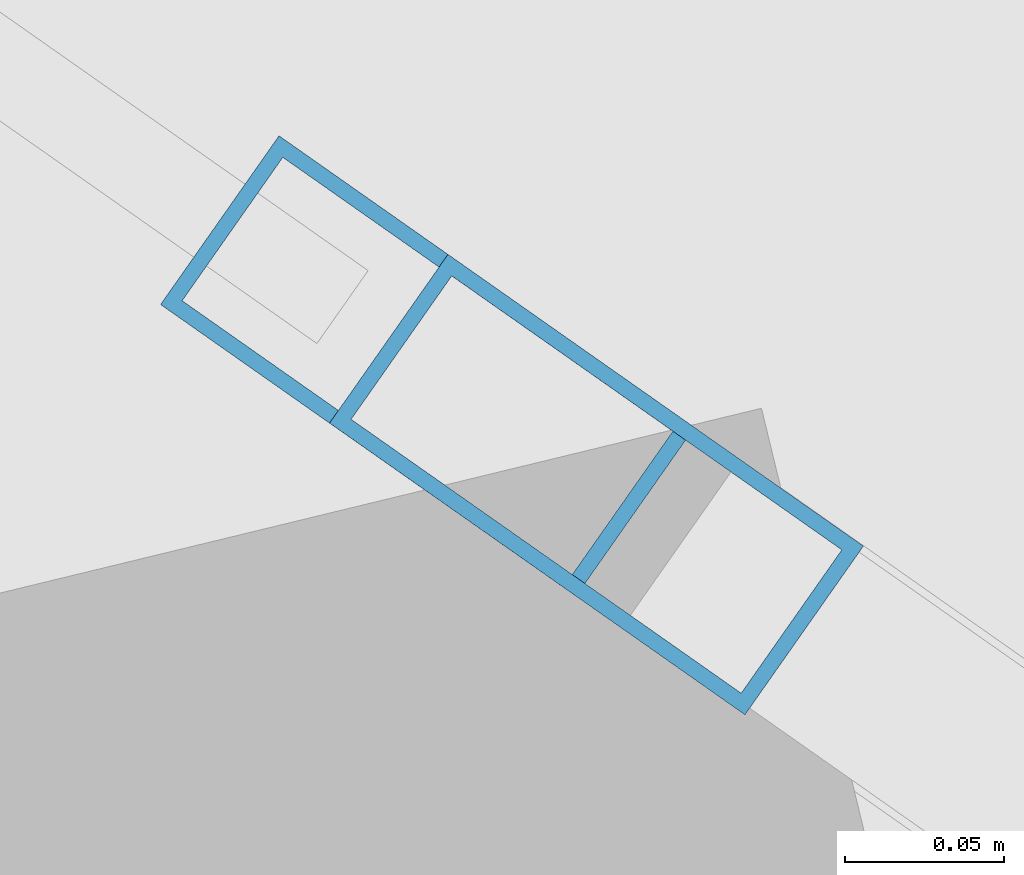
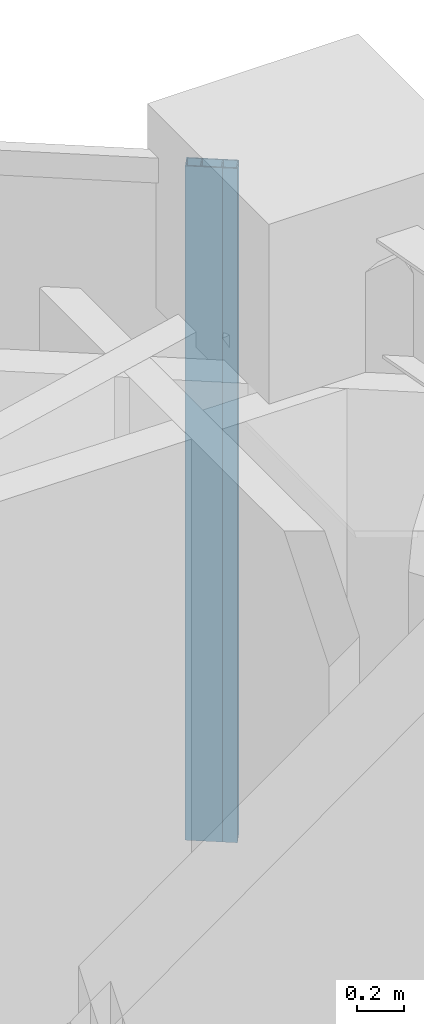
# One storey, part 14 of 24: 2 members, 2 elements without a shape of their own.
"""IFC4 building model written with IfcOpenShell, lengths in metres."""

from ifc_helpers import new_model, si_unit, direction, frame, origin, origin_2d, place, context, subcontext, project, spatial, hollow_rectangle, extrude, material, layer, layer_set, material_profile, profile_set, type_object, element, aggregate, save


model = new_model("IFC4")

# Units and contexts
model_context = context("Model", 3, precision=1e-05, world=origin(), true_north=direction((0.0, 1.0)))
body_context = subcontext(model_context, "Body", "Model", "MODEL_VIEW")
ifc_project = project(units=[si_unit("LENGTHUNIT", "METRE"), si_unit("AREAUNIT", "SQUARE_METRE"), si_unit("VOLUMEUNIT", "CUBIC_METRE"), si_unit("PLANEANGLEUNIT", "RADIAN"), si_unit("MASSUNIT", "GRAM", prefix="KILO")], contexts=[model_context])

# Site, building, storey
site_placement = place(None, origin())
site = spatial("IfcSite", under=ifc_project, at=site_placement, CompositionType="ELEMENT")
building_placement = place(site_placement, origin())
building = spatial("IfcBuilding", under=site, at=building_placement, Name="Qianvela Tower", CompositionType="ELEMENT")
storey_placement = place(building_placement, frame((0.0, 0.0, 101.5)))
storey = spatial("IfcBuildingStorey", under=building, at=storey_placement, Name="L25", CompositionType="ELEMENT", Elevation=101.5)

# Curtain wall, member
ifc_material_1 = material(Name="Anodised Architectural Aluminium and Insulated Spandrel Panel", Category="aluminium")
ifc_layer_1 = layer(ifc_material_1, 0.179931640625)
ifc_layer_set_1 = layer_set([ifc_layer_1], Name="Anodised Architectural Aluminium and Insulated Spandrel Panel")
curtain_wall_type_1 = type_object("IfcCurtainWallType", Name="CW-BRACEBAY", PredefinedType="USERDEFINED", material=ifc_layer_set_1)
curtain_wall_1_placement = place(storey_placement, origin())
curtain_wall_1 = element("IfcCurtainWall", 1, at=curtain_wall_1_placement, inside=storey, type_object=curtain_wall_type_1, Name="L25 CW-BRACEBAY Curtain Wall 02B", ObjectType="CURTAIN_WALL_SYSTEM", PredefinedType="USERDEFINED")
ifc_material_2 = material(Name="Anodised Architectural Aluminium 6063-T6", Category="aluminium")
ifc_material_profile_1 = material_profile(ifc_material_2, hollow_rectangle(XDim=0.06494140625, YDim=0.159912109375, WallThickness=0.0048828125, at=origin_2d()), Name="ALU-MULL-65x160")
ifc_profile_set_1 = profile_set([ifc_material_profile_1], Name="Anodised Architectural Aluminium 6063-T6")
member_type_1 = type_object("IfcMemberType", Name="CW-BRACEBAY-MULL", PredefinedType="MULLION", material=ifc_profile_set_1)
member_1_placement = place(storey_placement, frame((43.390380859375, 37.53662109375, 0.0), z_axis=(0.0, 0.0, 1.0), x_axis=(-0.574622053044, -0.81841890017, 0.0)))
member_1 = element("IfcMember", 2, at=member_1_placement, type_object=member_type_1, Name="CW-9 mullion 2", PredefinedType="MULLION", context=body_context, shape_type="SweptSolid", body=[
    extrude(hollow_rectangle(XDim=0.06494140625, YDim=0.159912109375, WallThickness=0.0048828125, at=origin_2d()), origin(), (0.0, 0.0, 1.0), 3.52001953125),
])
aggregate(curtain_wall_1, [member_1])

ifc_material_3 = material(Name="Anodised Architectural Aluminium and Low-E Glass", Category="aluminium")
ifc_layer_2 = layer(ifc_material_3, 0.169921875)
ifc_layer_set_2 = layer_set([ifc_layer_2], Name="Anodised Architectural Aluminium and Low-E Glass")
curtain_wall_type_2 = type_object("IfcCurtainWallType", Name="CW-COLIV-Z34", PredefinedType="USERDEFINED", material=ifc_layer_set_2)
curtain_wall_2_placement = place(storey_placement, origin())
curtain_wall_2 = element("IfcCurtainWall", 3, at=curtain_wall_2_placement, inside=storey, type_object=curtain_wall_type_2, Name="L25 CW-COLIV-Z34 Curtain Wall 02C", ObjectType="CURTAIN_WALL_SYSTEM", PredefinedType="USERDEFINED")
ifc_material_4 = material(Name="Anodised Architectural Aluminium 6063-T6", Category="aluminium")
ifc_material_profile_2 = material_profile(ifc_material_4, hollow_rectangle(XDim=0.06494140625, YDim=0.159912109375, WallThickness=0.0048828125, at=origin_2d()), Name="ALU-MULL-65x160")
ifc_profile_set_2 = profile_set([ifc_material_profile_2], Name="Anodised Architectural Aluminium 6063-T6")
member_type_2 = type_object("IfcMemberType", Name="CW-COLIV-Z34-MULL", PredefinedType="MULLION", material=ifc_profile_set_2)
member_2_placement = place(storey_placement, frame((43.337158203125, 37.573974609375, 0.0), z_axis=(0.0, 0.0, 1.0), x_axis=(-0.57462169337, -0.818419152701, 0.0)))
member_2 = element("IfcMember", 4, at=member_2_placement, type_object=member_type_2, Name="CW-4 mullion 1", PredefinedType="MULLION", context=body_context, shape_type="SweptSolid", body=[
    extrude(hollow_rectangle(XDim=0.06494140625, YDim=0.159912109375, WallThickness=0.0048828125, at=origin_2d()), origin(), (0.0, 0.0, 1.0), 3.52001953125),
])
aggregate(curtain_wall_2, [member_2])

save(model, "model.ifc")
